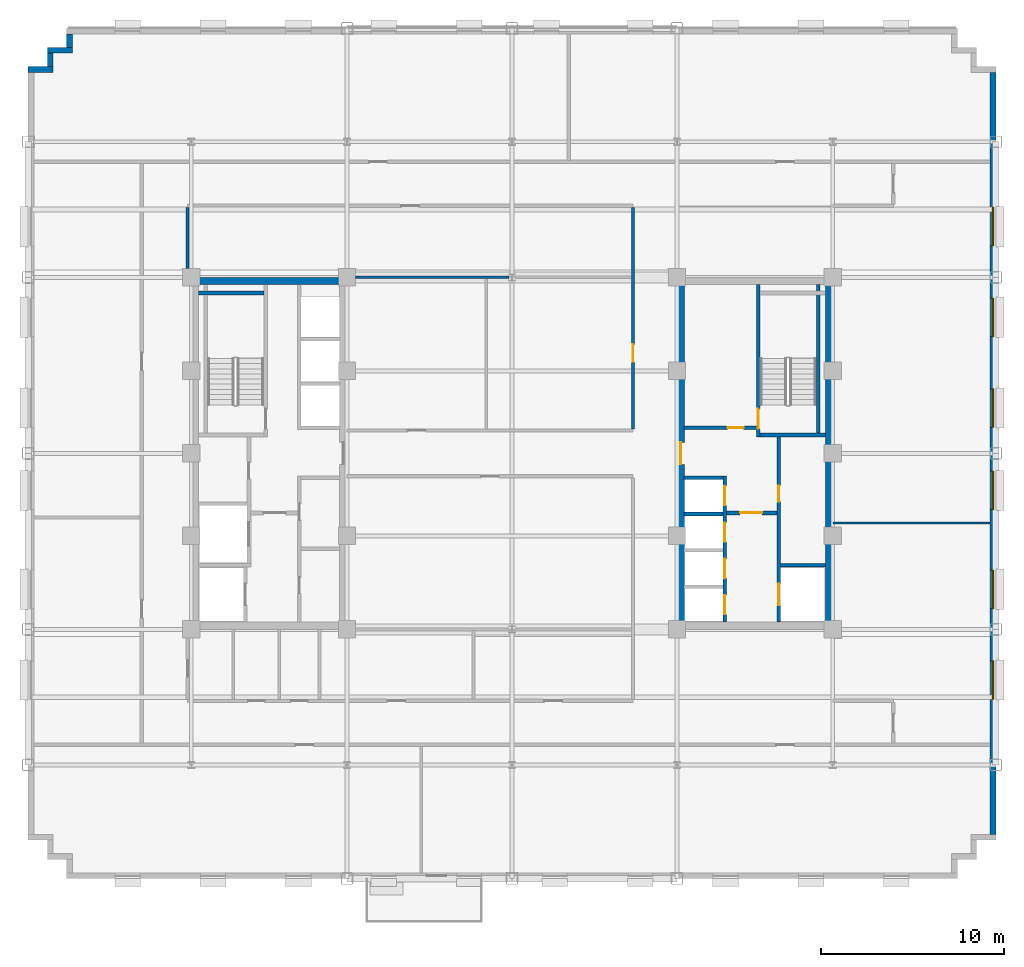
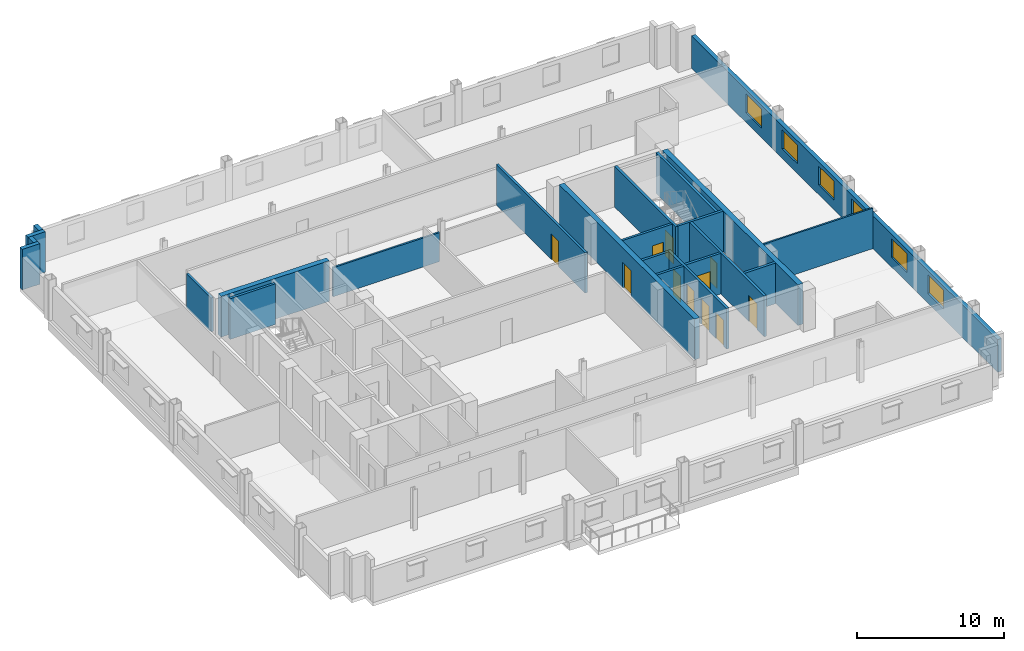
# One storey, part 8 of 14: 23 walls, 11 doors, 6 windows, 17 openings.
"""IFC4 building model written with IfcOpenShell, lengths in metres."""

from ifc_helpers import new_model, si_unit, direction, frame, frame_2d, origin, place, context, subcontext, project, spatial, rectangle, extrude, source, transform, mapped, material, layer, layer_set, type_object, type_shapes, element, fill, save


model = new_model("IFC4")

# Units and contexts
model_context = context("Model", 3, precision=1e-05, world=origin(), true_north=direction((0.0, 1.0)))
body_context = subcontext(model_context, "Body", "Model", "MODEL_VIEW")
ifc_project = project(units=[si_unit("LENGTHUNIT", "METRE"), si_unit("AREAUNIT", "SQUARE_METRE"), si_unit("VOLUMEUNIT", "CUBIC_METRE"), si_unit("PLANEANGLEUNIT", "RADIAN"), si_unit("MASSUNIT", "GRAM", prefix="KILO")], contexts=[model_context])

# Site, building, storey
site_placement = place(None, origin())
site = spatial("IfcSite", under=ifc_project, at=site_placement, CompositionType="ELEMENT")
building_placement = place(site_placement, origin())
building = spatial("IfcBuilding", under=site, at=building_placement, Name="Nuvemarco Arch Tower", CompositionType="ELEMENT")
storey_placement = place(building_placement, frame((0.0, 0.0, 127.5)))
storey = spatial("IfcBuildingStorey", under=building, at=storey_placement, Name="L33", CompositionType="ELEMENT", Elevation=127.5)

# Wall, openings, windows
ifc_material_1 = material(Name="Precast concrete C45/55", Category="concrete")
ifc_layer_1 = layer(ifc_material_1, 0.320068359375, Name="EW-MID-320")
ifc_layer_set_1 = layer_set([ifc_layer_1], Name="Precast concrete C45/55")
wall_type_1 = type_object("IfcWallType", Name="EW-MID-320", PredefinedType="STANDARD", material=ifc_layer_set_1)
wall_1_placement = place(storey_placement, frame((26.239990234375, -20.783935546875, 0.0), z_axis=(0.0, 0.0, 1.0), x_axis=(0.0, 1.0, 0.0)))
wall_1 = element("IfcWall", 1, at=wall_1_placement, inside=storey, type_object=wall_type_1, Name="L33 exterior precast facade wall 6", PredefinedType="STANDARD", context=body_context, shape_type="SweptSolid", body=[
    extrude(rectangle(XDim=41.56787109375, YDim=0.320068359375, at=frame_2d((20.783935546875, 0.0))), origin(), (0.0, 0.0, 1.0), 2.705078125),
])
opening_1_placement = place(wall_1_placement, frame((7.368896484375, 0.0, 0.800048828125)))
opening_1 = element("IfcOpeningElement", 2, at=opening_1_placement, cuts=wall_1, Name="Opening WN-5", PredefinedType="OPENING", context=body_context, shape_type="SweptSolid", body=[
    extrude(rectangle(XDim=2.10009765625, YDim=1.56005859375, at=frame_2d((1.050048828125, 0.780029296875))), frame((0.0, 0.169921875, 0.0), z_axis=(0.0, -1.0, 0.0), x_axis=(1.0, 0.0, 0.0)), (0.0, 0.0, 1.0), 0.340087890625),
])
opening_2_placement = place(wall_1_placement, frame((12.31494140625, 0.0, 0.800048828125)))
opening_2 = element("IfcOpeningElement", 3, at=opening_2_placement, cuts=wall_1, Name="Opening WN-5", PredefinedType="OPENING", context=body_context, shape_type="SweptSolid", body=[
    extrude(rectangle(XDim=2.10009765625, YDim=1.56005859375, at=frame_2d((1.050048828125, 0.780029296875))), frame((0.0, 0.169921875, 0.0), z_axis=(0.0, -1.0, 0.0), x_axis=(1.0, 0.0, 0.0)), (0.0, 0.0, 1.0), 0.340087890625),
])
opening_3_placement = place(wall_1_placement, frame((17.7109375, 0.0, 0.800048828125)))
opening_3 = element("IfcOpeningElement", 4, at=opening_3_placement, cuts=wall_1, Name="Opening WN-5", PredefinedType="OPENING", context=body_context, shape_type="SweptSolid", body=[
    extrude(rectangle(XDim=2.10009765625, YDim=1.56005859375, at=frame_2d((1.050048828125, 0.780029296875))), frame((0.0, 0.169921875, 0.0), z_axis=(0.0, -1.0, 0.0), x_axis=(1.0, 0.0, 0.0)), (0.0, 0.0, 1.0), 0.340087890625),
])
opening_4_placement = place(wall_1_placement, frame((22.20703125, 0.0, 0.800048828125)))
opening_4 = element("IfcOpeningElement", 5, at=opening_4_placement, cuts=wall_1, Name="Opening WN-5", PredefinedType="OPENING", context=body_context, shape_type="SweptSolid", body=[
    extrude(rectangle(XDim=2.10009765625, YDim=1.56005859375, at=frame_2d((1.050048828125, 0.780029296875))), frame((0.0, 0.169921875, 0.0), z_axis=(0.0, -1.0, 0.0), x_axis=(1.0, 0.0, 0.0)), (0.0, 0.0, 1.0), 0.340087890625),
])
opening_5_placement = place(wall_1_placement, frame((27.153076171875, 0.0, 0.800048828125)))
opening_5 = element("IfcOpeningElement", 6, at=opening_5_placement, cuts=wall_1, Name="Opening WN-5", PredefinedType="OPENING", context=body_context, shape_type="SweptSolid", body=[
    extrude(rectangle(XDim=2.10009765625, YDim=1.56005859375, at=frame_2d((1.050048828125, 0.780029296875))), frame((0.0, 0.169921875, 0.0), z_axis=(0.0, -1.0, 0.0), x_axis=(1.0, 0.0, 0.0)), (0.0, 0.0, 1.0), 0.340087890625),
])
opening_6_placement = place(wall_1_placement, frame((32.09912109375, 0.0, 0.800048828125)))
opening_6 = element("IfcOpeningElement", 7, at=opening_6_placement, cuts=wall_1, Name="Opening WN-5", PredefinedType="OPENING", context=body_context, shape_type="SweptSolid", body=[
    extrude(rectangle(XDim=2.10009765625, YDim=1.56005859375, at=frame_2d((1.050048828125, 0.780029296875))), frame((0.0, 0.169921875, 0.0), z_axis=(0.0, -1.0, 0.0), x_axis=(1.0, 0.0, 0.0)), (0.0, 0.0, 1.0), 0.340087890625),
])
ifc_material_2 = material(Name="Insulated solar-control glass", Category="glass")
window_type = type_object("IfcWindowType", Name="WN-MID-2100x1560", PartitioningType="DOUBLE_PANEL_VERTICAL", PredefinedType="WINDOW", material=ifc_material_2)
shared_shape_1 = source(origin(), body_context, "Body", "SweptSolid", [
    extrude(rectangle(XDim=2.10009765625, YDim=1.56005859375, at=frame_2d((1.050048828125, 0.780029296875))), frame((0.0, 0.030029296875, 0.0), z_axis=(0.0, -1.0, 0.0), x_axis=(1.0, 0.0, 0.0)), (0.0, 0.0, 1.0), 0.06005859375),
])
type_shapes(window_type, [shared_shape_1])
window_1_placement = place(opening_1_placement, origin())
window_1 = element("IfcWindow", 8, at=window_1_placement, inside=storey, type_object=window_type, Name="L33 punched facade window 2", OverallHeight=1.56005859375, OverallWidth=2.10009765625, PartitioningType="SINGLE_PANEL", PredefinedType="WINDOW", context=body_context, shape_type="MappedRepresentation", body=[
    mapped(shared_shape_1, transform((0.0, 0.0, 0.0), scale=1.0)),
])
fill(opening_1, window_1)
window_2_placement = place(opening_2_placement, origin())
window_2 = element("IfcWindow", 9, at=window_2_placement, inside=storey, type_object=window_type, Name="L33 punched facade window 3", OverallHeight=1.56005859375, OverallWidth=2.10009765625, PartitioningType="SINGLE_PANEL", PredefinedType="WINDOW", context=body_context, shape_type="MappedRepresentation", body=[
    mapped(shared_shape_1, transform((0.0, 0.0, 0.0), scale=1.0)),
])
fill(opening_2, window_2)
window_3_placement = place(opening_3_placement, origin())
window_3 = element("IfcWindow", 10, at=window_3_placement, inside=storey, type_object=window_type, Name="L33 punched facade window 4", OverallHeight=1.56005859375, OverallWidth=2.10009765625, PartitioningType="SINGLE_PANEL", PredefinedType="WINDOW", context=body_context, shape_type="MappedRepresentation", body=[
    mapped(shared_shape_1, transform((0.0, 0.0, 0.0), scale=1.0)),
])
fill(opening_3, window_3)
window_4_placement = place(opening_4_placement, origin())
window_4 = element("IfcWindow", 11, at=window_4_placement, inside=storey, type_object=window_type, Name="L33 punched facade window 5", OverallHeight=1.56005859375, OverallWidth=2.10009765625, PartitioningType="SINGLE_PANEL", PredefinedType="WINDOW", context=body_context, shape_type="MappedRepresentation", body=[
    mapped(shared_shape_1, transform((0.0, 0.0, 0.0), scale=1.0)),
])
fill(opening_4, window_4)
window_5_placement = place(opening_5_placement, origin())
window_5 = element("IfcWindow", 12, at=window_5_placement, inside=storey, type_object=window_type, Name="L33 punched facade window 6", OverallHeight=1.56005859375, OverallWidth=2.10009765625, PartitioningType="SINGLE_PANEL", PredefinedType="WINDOW", context=body_context, shape_type="MappedRepresentation", body=[
    mapped(shared_shape_1, transform((0.0, 0.0, 0.0), scale=1.0)),
])
fill(opening_5, window_5)
window_6_placement = place(opening_6_placement, origin())
window_6 = element("IfcWindow", 13, at=window_6_placement, inside=storey, type_object=window_type, Name="L33 punched facade window 7", OverallHeight=1.56005859375, OverallWidth=2.10009765625, PartitioningType="SINGLE_PANEL", PredefinedType="WINDOW", context=body_context, shape_type="MappedRepresentation", body=[
    mapped(shared_shape_1, transform((0.0, 0.0, 0.0), scale=1.0)),
])
fill(opening_6, window_6)

# Walls
wall_2_placement = place(storey_placement, frame((-24.139892578125, 22.14599609375, 0.0), z_axis=(0.0, 0.0, 1.0), x_axis=(0.0, 1.0, 0.0)))
element("IfcWall", 14, at=wall_2_placement, inside=storey, type_object=wall_type_1, Name="L33 exterior precast facade wall 12", PredefinedType="STANDARD", context=body_context, shape_type="SweptSolid", body=[
    extrude(rectangle(XDim=0.738037109375, YDim=0.320068359375, at=frame_2d((0.369140625, 0.0))), origin(), (0.0, 0.0, 1.0), 3.360107421875),
])
wall_3_placement = place(storey_placement, frame((-25.35009765625, 21.989990234375, 0.0), z_axis=(0.0, 0.0, 1.0), x_axis=(1.0, 0.0, 0.0)))
element("IfcWall", 15, at=wall_3_placement, inside=storey, type_object=wall_type_1, Name="L33 exterior precast facade wall 13", PredefinedType="STANDARD", context=body_context, shape_type="SweptSolid", body=[
    extrude(rectangle(XDim=1.3701171875, YDim=0.320068359375, at=frame_2d((0.68505859375, 0.0))), origin(), (0.0, 0.0, 1.0), 3.360107421875),
])
wall_4_placement = place(storey_placement, frame((-25.18994140625, 21.095947265625, 0.0), z_axis=(0.0, 0.0, 1.0), x_axis=(0.0, 1.0, 0.0)))
element("IfcWall", 16, at=wall_4_placement, inside=storey, type_object=wall_type_1, Name="L33 exterior precast facade wall 14", PredefinedType="STANDARD", context=body_context, shape_type="SweptSolid", body=[
    extrude(rectangle(XDim=0.738037109375, YDim=0.320068359375, at=frame_2d((0.369140625, 0.0))), origin(), (0.0, 0.0, 1.0), 3.360107421875),
])
wall_5_placement = place(storey_placement, frame((-26.39990234375, 20.93994140625, 0.0), z_axis=(0.0, 0.0, 1.0), x_axis=(1.0, 0.0, 0.0)))
element("IfcWall", 17, at=wall_5_placement, inside=storey, type_object=wall_type_1, Name="L33 exterior precast facade wall 15", PredefinedType="STANDARD", context=body_context, shape_type="SweptSolid", body=[
    extrude(rectangle(XDim=1.369873046875, YDim=0.320068359375, at=frame_2d((0.68505859375, 0.0))), origin(), (0.0, 0.0, 1.0), 3.360107421875),
])
ifc_material_3 = material(Name="Concrete C60/75", Category="concrete")
ifc_layer_2 = layer(ifc_material_3, 0.39990234375, Name="WL-CORE-400")
ifc_layer_set_2 = layer_set([ifc_layer_2], Name="Concrete C60/75")
wall_type_2 = type_object("IfcWallType", Name="WL-CORE-400", PredefinedType="SHEAR", material=ifc_layer_set_2)
wall_6_placement = place(storey_placement, frame((-17.5, 9.39990234375, 0.0), z_axis=(0.0, 0.0, 1.0), x_axis=(1.0, 0.0, 0.0)))
element("IfcWall", 18, at=wall_6_placement, inside=storey, type_object=wall_type_2, Name="L33 W-core shear wall N", PredefinedType="SHEAR", context=body_context, shape_type="SweptSolid", body=[
    extrude(rectangle(XDim=8.5, YDim=0.39990234375, at=frame_2d((4.25, 0.0))), origin(), (0.0, 0.0, 1.0), 3.3701171875),
])

# Wall, opening, door
wall_7_placement = place(storey_placement, frame((9.199951171875, -9.205078125, 0.0), z_axis=(0.0, 0.0, 1.0), x_axis=(0.0, 1.0, 0.0)))
wall_7 = element("IfcWall", 19, at=wall_7_placement, inside=storey, type_object=wall_type_2, Name="L33 E-core shear wall W", PredefinedType="SHEAR", context=body_context, shape_type="SweptSolid", body=[
    extrude(rectangle(XDim=18.41015625, YDim=0.39990234375, at=frame_2d((9.205078125, 0.0))), origin(), (0.0, 0.0, 1.0), 3.3701171875),
])
opening_7_placement = place(wall_7_placement, frame((8.60498046875, 0.0, 0.0)))
opening_7 = element("IfcOpeningElement", 20, at=opening_7_placement, cuts=wall_7, Name="Opening FD-2", PredefinedType="OPENING", context=body_context, shape_type="SweptSolid", body=[
    extrude(rectangle(XDim=1.199951171875, YDim=2.14990234375, at=frame_2d((0.60009765625, 1.074951171875))), frame((0.0, 0.2099609375, 0.0), z_axis=(0.0, -1.0, 0.0), x_axis=(1.0, 0.0, 0.0)), (0.0, 0.0, 1.0), 0.419921875),
])
ifc_material_4 = material(Name="Anodised steel fire door", Category="steel")
door_type_1 = type_object("IfcDoorType", Name="DR-FFLOB-FD", OperationType="NOTDEFINED", PredefinedType="DOOR", material=ifc_material_4)
shared_shape_2 = source(origin(), body_context, "Body", "SweptSolid", [
    extrude(rectangle(XDim=1.199951171875, YDim=2.14990234375, at=frame_2d((0.60009765625, 1.074951171875))), frame((0.0, 0.02490234375, 0.0), z_axis=(0.0, -1.0, 0.0), x_axis=(1.0, 0.0, 0.0)), (0.0, 0.0, 1.0), 0.050048828125),
])
type_shapes(door_type_1, [shared_shape_2])
door_1_placement = place(opening_7_placement, origin())
door_1 = element("IfcDoor", 21, at=door_1_placement, inside=storey, type_object=door_type_1, Name="L33 door FD-L33-ECORE-W", OperationType="SINGLE_SWING_RIGHT", OverallHeight=2.14990234375, OverallWidth=1.199951171875, PredefinedType="DOOR", context=body_context, shape_type="MappedRepresentation", body=[
    mapped(shared_shape_2, transform((0.0, 0.0, 0.0), scale=1.0)),
])
fill(opening_7, door_1)

# Wall
wall_8_placement = place(storey_placement, frame((17.300048828125, -9.205078125, 0.0), z_axis=(0.0, 0.0, 1.0), x_axis=(0.0, 1.0, 0.0)))
element("IfcWall", 22, at=wall_8_placement, inside=storey, type_object=wall_type_2, Name="L33 E-core shear wall E", PredefinedType="SHEAR", context=body_context, shape_type="SweptSolid", body=[
    extrude(rectangle(XDim=18.41015625, YDim=0.39990234375, at=frame_2d((9.205078125, 0.0))), origin(), (0.0, 0.0, 1.0), 3.3701171875),
])

# Wall, opening, door
ifc_material_5 = material(Name="Fire-rated gypsum drywall partition")
ifc_layer_3 = layer(ifc_material_5, 0.179931640625, Name="WL-CORR-180")
ifc_layer_set_3 = layer_set([ifc_layer_3], Name="Fire-rated gypsum drywall partition")
wall_type_3 = type_object("IfcWallType", Name="WL-CORR-180", PredefinedType="PARTITIONING", material=ifc_layer_set_3)
wall_9_placement = place(storey_placement, frame((9.39501953125, 1.39990234375, 0.0), z_axis=(0.0, 0.0, 1.0), x_axis=(1.0, 0.0, 0.0)))
wall_9 = element("IfcWall", 23, at=wall_9_placement, inside=storey, type_object=wall_type_3, Name="L33 interior wall IW-L33-EK-S", PredefinedType="PARTITIONING", context=body_context, shape_type="SweptSolid", body=[
    extrude(rectangle(XDim=3.949951171875, YDim=0.179931640625, at=frame_2d((1.97509765625, 0.0))), origin(), (0.0, 0.0, 1.0), 3.360107421875),
])
opening_8_placement = place(wall_9_placement, frame((2.364990234375, 0.0, 0.0)))
opening_8 = element("IfcOpeningElement", 24, at=opening_8_placement, cuts=wall_9, Name="Opening FD-4", PredefinedType="OPENING", context=body_context, shape_type="SweptSolid", body=[
    extrude(rectangle(XDim=0.8798828125, YDim=2.10009765625, at=frame_2d((0.43994140625, 1.050048828125))), frame((0.0, 0.099853515625, 0.0), z_axis=(0.0, -1.0, 0.0), x_axis=(1.0, 0.0, 0.0)), (0.0, 0.0, 1.0), 0.199951171875),
])
door_type_2 = type_object("IfcDoorType", Name="DR-RISER-FD", OperationType="NOTDEFINED", PredefinedType="DOOR", material=ifc_material_4)
shared_shape_3 = source(origin(), body_context, "Body", "SweptSolid", [
    extrude(rectangle(XDim=0.8798828125, YDim=2.10009765625, at=frame_2d((0.43994140625, 1.050048828125))), frame((0.0, 0.02490234375, 0.0), z_axis=(0.0, -1.0, 0.0), x_axis=(1.0, 0.0, 0.0)), (0.0, 0.0, 1.0), 0.050048828125),
])
type_shapes(door_type_2, [shared_shape_3])
door_2_placement = place(opening_8_placement, origin())
door_2 = element("IfcDoor", 25, at=door_2_placement, inside=storey, type_object=door_type_2, Name="L33 door FD-L33-EK1A", OperationType="SINGLE_SWING_LEFT", OverallHeight=2.10009765625, OverallWidth=0.8798828125, PredefinedType="DOOR", context=body_context, shape_type="MappedRepresentation", body=[
    mapped(shared_shape_3, transform((0.0, 0.0, 0.0), scale=1.0)),
])
fill(opening_8, door_2)

# Wall
wall_10_placement = place(storey_placement, frame((-17.699951171875, 10.071044921875, 0.0), z_axis=(0.0, 0.0, 1.0), x_axis=(0.0, 1.0, 0.0)))
element("IfcWall", 26, at=wall_10_placement, inside=storey, type_object=wall_type_3, Name="L33 interior wall IW-L33-017", PredefinedType="PARTITIONING", context=body_context, shape_type="SweptSolid", body=[
    extrude(rectangle(XDim=3.343017578125, YDim=0.179931640625, at=frame_2d((1.67138671875, 0.0))), origin(), (0.0, 0.0, 1.0), 2.81591796875),
])

# Wall, opening, door
wall_11_placement = place(storey_placement, frame((6.60009765625, 1.3359375, 0.0), z_axis=(0.0, 0.0, 1.0), x_axis=(0.0, 1.0, 0.0)))
wall_11 = element("IfcWall", 27, at=wall_11_placement, inside=storey, type_object=wall_type_3, Name="L33 interior wall IW-L33-026", PredefinedType="PARTITIONING", context=body_context, shape_type="SweptSolid", body=[
    extrude(rectangle(XDim=12.078125, YDim=0.179931640625, at=frame_2d((6.0390625, 0.0))), origin(), (0.0, 0.0, 1.0), 3.360107421875),
])
opening_9_placement = place(wall_11_placement, frame((3.652099609375, 0.0, 0.0)))
opening_9 = element("IfcOpeningElement", 28, at=opening_9_placement, cuts=wall_11, Name="Opening FD-5", PredefinedType="OPENING", context=body_context, shape_type="SweptSolid", body=[
    extrude(rectangle(XDim=0.9599609375, YDim=2.10009765625, at=frame_2d((0.47998046875, 1.050048828125))), frame((0.0, 0.099853515625, 0.0), z_axis=(0.0, -1.0, 0.0), x_axis=(1.0, 0.0, 0.0)), (0.0, 0.0, 1.0), 0.199951171875),
])
ifc_material_6 = material(Name="Timber fire door", Category="wood")
door_type_3 = type_object("IfcDoorType", Name="DR-CORR-FD", OperationType="NOTDEFINED", PredefinedType="DOOR", material=ifc_material_6)
shared_shape_4 = source(origin(), body_context, "Body", "SweptSolid", [
    extrude(rectangle(XDim=0.9599609375, YDim=2.10009765625, at=frame_2d((0.47998046875, 1.050048828125))), frame((0.0, 0.02490234375, 0.0), z_axis=(0.0, -1.0, 0.0), x_axis=(1.0, 0.0, 0.0)), (0.0, 0.0, 1.0), 0.050048828125),
])
type_shapes(door_type_3, [shared_shape_4])
door_3_placement = place(opening_9_placement, origin())
door_3 = element("IfcDoor", 29, at=door_3_placement, inside=storey, type_object=door_type_3, Name="L33 door DR-L33-C_N2", OperationType="SINGLE_SWING_RIGHT", OverallHeight=2.10009765625, OverallWidth=0.9599609375, PredefinedType="DOOR", context=body_context, shape_type="MappedRepresentation", body=[
    mapped(shared_shape_4, transform((0.0, 0.0, 0.0), scale=1.0)),
])
fill(opening_9, door_3)

# Walls
ifc_material_7 = material(Name="Glazed acoustic office partition")
ifc_layer_4 = layer(ifc_material_7, 0.1298828125, Name="WL-EXEC-130")
ifc_layer_set_4 = layer_set([ifc_layer_4], Name="Glazed acoustic office partition")
wall_type_4 = type_object("IfcWallType", Name="WL-EXEC-130", PredefinedType="PARTITIONING", material=ifc_layer_set_4)
wall_12_placement = place(storey_placement, frame((17.5, -3.800048828125, 0.0), z_axis=(0.0, 0.0, 1.0), x_axis=(1.0, 0.0, 0.0)))
element("IfcWall", 30, at=wall_12_placement, inside=storey, type_object=wall_type_4, Name="L33 interior wall IW-L33-006", PredefinedType="PARTITIONING", context=body_context, shape_type="SweptSolid", body=[
    extrude(rectangle(XDim=8.580078125, YDim=0.1298828125, at=frame_2d((4.2900390625, 0.0))), origin(), (0.0, 0.0, 1.0), 3.360107421875),
])
ifc_material_8 = material(Name="Gypsum plasterboard partition")
ifc_layer_5 = layer(ifc_material_8, 0.139892578125, Name="WL-ROOM-140")
ifc_layer_set_5 = layer_set([ifc_layer_5], Name="Gypsum plasterboard partition")
wall_type_5 = type_object("IfcWallType", Name="WL-ROOM-140", PredefinedType="PARTITIONING", material=ifc_layer_set_5)
wall_13_placement = place(storey_placement, frame((-8.529052734375, 9.60009765625, 0.0), z_axis=(0.0, 0.0, 1.0), x_axis=(1.0, 0.0, 0.0)))
element("IfcWall", 31, at=wall_13_placement, inside=storey, type_object=wall_type_5, Name="L33 interior wall IW-L33-010", PredefinedType="PARTITIONING", context=body_context, shape_type="SweptSolid", body=[
    extrude(rectangle(XDim=8.35302734375, YDim=0.139892578125, at=frame_2d((4.176513671875, 0.0))), origin(), (0.0, 0.0, 1.0), 2.405029296875),
])
ifc_material_9 = material(Name="Concrete C50/60", Category="concrete")
ifc_layer_6 = layer(ifc_material_9, 0.199951171875, Name="WL-SHAFT-220")
ifc_layer_set_6 = layer_set([ifc_layer_6], Name="Concrete C50/60")
wall_type_6 = type_object("IfcWallType", Name="WL-SHAFT-220", PredefinedType="SHEAR", material=ifc_layer_set_6)
wall_14_placement = place(storey_placement, frame((-17.10498046875, 8.75, 0.0), z_axis=(0.0, 0.0, 1.0), x_axis=(1.0, 0.0, 0.0)))
element("IfcWall", 32, at=wall_14_placement, inside=storey, type_object=wall_type_6, Name="L33 structural shaft wall SW-L33-W-ST1N", PredefinedType="SHEAR", context=body_context, shape_type="SweptSolid", body=[
    extrude(rectangle(XDim=3.570068359375, YDim=0.199951171875, at=frame_2d((1.78515625, 0.0))), origin(), (0.0, 0.0, 1.0), 3.3701171875),
])

# Wall, opening, door
wall_15_placement = place(storey_placement, frame((13.43994140625, 0.89990234375, 0.0), z_axis=(0.0, 0.0, 1.0), x_axis=(0.0, 1.0, 0.0)))
wall_15 = element("IfcWall", 33, at=wall_15_placement, inside=storey, type_object=wall_type_6, Name="L33 structural shaft wall SW-L33-E-ST2W", PredefinedType="SHEAR", context=body_context, shape_type="SweptSolid", body=[
    extrude(rectangle(XDim=8.30517578125, YDim=0.199951171875, at=frame_2d((4.152587890625, 0.0))), origin(), (0.0, 0.0, 1.0), 3.3701171875),
])
opening_10_placement = place(wall_15_placement, frame((0.429931640625, 0.0, 0.0)))
opening_10 = element("IfcOpeningElement", 34, at=opening_10_placement, cuts=wall_15, Name="Opening FD-1", PredefinedType="OPENING", context=body_context, shape_type="SweptSolid", body=[
    extrude(rectangle(XDim=1.10009765625, YDim=2.14990234375, at=frame_2d((0.550048828125, 1.074951171875))), frame((0.0, 0.10986328125, 0.0), z_axis=(0.0, -1.0, 0.0), x_axis=(1.0, 0.0, 0.0)), (0.0, 0.0, 1.0), 0.219970703125),
])
door_type_4 = type_object("IfcDoorType", Name="DR-STAIR-FD", OperationType="NOTDEFINED", PredefinedType="DOOR", material=ifc_material_4)
shared_shape_5 = source(origin(), body_context, "Body", "SweptSolid", [
    extrude(rectangle(XDim=1.10009765625, YDim=2.14990234375, at=frame_2d((0.550048828125, 1.074951171875))), frame((0.0, 0.02490234375, 0.0), z_axis=(0.0, -1.0, 0.0), x_axis=(1.0, 0.0, 0.0)), (0.0, 0.0, 1.0), 0.050048828125),
])
type_shapes(door_type_4, [shared_shape_5])
door_4_placement = place(opening_10_placement, origin())
door_4 = element("IfcDoor", 35, at=door_4_placement, inside=storey, type_object=door_type_4, Name="L33 door FD-L33-ST2", OperationType="SINGLE_SWING_RIGHT", OverallHeight=2.14990234375, OverallWidth=1.10009765625, PredefinedType="DOOR", context=body_context, shape_type="MappedRepresentation", body=[
    mapped(shared_shape_5, transform((0.0, 0.0, 0.0), scale=1.0)),
])
fill(opening_10, door_4)

# Walls
wall_16_placement = place(storey_placement, frame((13.534912109375, 1.0, 0.0), z_axis=(0.0, 0.0, 1.0), x_axis=(1.0, 0.0, 0.0)))
element("IfcWall", 36, at=wall_16_placement, inside=storey, type_object=wall_type_6, Name="L33 structural shaft wall SW-L33-E-ST2S", PredefinedType="SHEAR", context=body_context, shape_type="SweptSolid", body=[
    extrude(rectangle(XDim=3.570068359375, YDim=0.199951171875, at=frame_2d((1.78515625, 0.0))), origin(), (0.0, 0.0, 1.0), 3.3701171875),
])
wall_17_placement = place(storey_placement, frame((16.699951171875, 1.094970703125, 0.0), z_axis=(0.0, 0.0, 1.0), x_axis=(0.0, 1.0, 0.0)))
element("IfcWall", 37, at=wall_17_placement, inside=storey, type_object=wall_type_6, Name="L33 structural shaft wall SW-L33-E-ST2E", PredefinedType="SHEAR", context=body_context, shape_type="SweptSolid", body=[
    extrude(rectangle(XDim=8.110107421875, YDim=0.199951171875, at=frame_2d((4.05517578125, 0.0))), origin(), (0.0, 0.0, 1.0), 3.3701171875),
])

# Wall, openings, doors
wall_18_placement = place(storey_placement, frame((14.550048828125, -9.205078125, 0.0), z_axis=(0.0, 0.0, 1.0), x_axis=(0.0, 1.0, 0.0)))
wall_18 = element("IfcWall", 38, at=wall_18_placement, inside=storey, type_object=wall_type_6, Name="L33 structural shaft wall SW-L33-E-SHW", PredefinedType="SHEAR", context=body_context, shape_type="SweptSolid", body=[
    extrude(rectangle(XDim=10.110107421875, YDim=0.199951171875, at=frame_2d((5.05517578125, 0.0))), origin(), (0.0, 0.0, 1.0), 3.3701171875),
])
opening_11_placement = place(wall_18_placement, frame((6.56494140625, 0.0, 0.0)))
opening_11 = element("IfcOpeningElement", 39, at=opening_11_placement, cuts=wall_18, Name="Opening FD-4", PredefinedType="OPENING", context=body_context, shape_type="SweptSolid", body=[
    extrude(rectangle(XDim=0.8798828125, YDim=2.10009765625, at=frame_2d((0.43994140625, 1.050048828125))), frame((0.0, 0.10986328125, 0.0), z_axis=(0.0, -1.0, 0.0), x_axis=(1.0, 0.0, 0.0)), (0.0, 0.0, 1.0), 0.219970703125),
])
opening_12_placement = place(wall_18_placement, frame((0.929931640625, 0.0, 0.0)))
opening_12 = element("IfcOpeningElement", 40, at=opening_12_placement, cuts=wall_18, Name="Opening LD-2", PredefinedType="OPENING", context=body_context, shape_type="SweptSolid", body=[
    extrude(rectangle(XDim=1.14990234375, YDim=2.14990234375, at=frame_2d((0.574951171875, 1.074951171875))), frame((0.0, 0.10986328125, 0.0), z_axis=(0.0, -1.0, 0.0), x_axis=(1.0, 0.0, 0.0)), (0.0, 0.0, 1.0), 0.219970703125),
])
door_5_placement = place(opening_11_placement, origin())
door_5 = element("IfcDoor", 41, at=door_5_placement, inside=storey, type_object=door_type_2, Name="L33 door FD-L33-ERIS", OperationType="SINGLE_SWING_RIGHT", OverallHeight=2.10009765625, OverallWidth=0.8798828125, PredefinedType="DOOR", context=body_context, shape_type="MappedRepresentation", body=[
    mapped(shared_shape_3, transform((0.0, 0.0, 0.0), scale=1.0)),
])
fill(opening_11, door_5)
ifc_material_10 = material(Name="Stainless steel lift door", Category="steel")
door_type_5 = type_object("IfcDoorType", Name="DR-LIFT-FIRE", OperationType="DOUBLE_DOOR_SLIDING", PredefinedType="DOOR", material=ifc_material_10)
shared_shape_6 = source(origin(), body_context, "Body", "SweptSolid", [
    extrude(rectangle(XDim=1.14990234375, YDim=2.14990234375, at=frame_2d((0.574951171875, 1.074951171875))), frame((0.0, 0.02490234375, 0.0), z_axis=(0.0, -1.0, 0.0), x_axis=(1.0, 0.0, 0.0)), (0.0, 0.0, 1.0), 0.050048828125),
])
type_shapes(door_type_5, [shared_shape_6])
door_6_placement = place(opening_12_placement, origin())
door_6 = element("IfcDoor", 42, at=door_6_placement, inside=storey, type_object=door_type_5, Name="L33 Lift landing sliding door FFL-2", OperationType="DOUBLE_DOOR_SLIDING", OverallHeight=2.14990234375, OverallWidth=1.14990234375, PredefinedType="DOOR", context=body_context, shape_type="MappedRepresentation", body=[
    mapped(shared_shape_6, transform((0.0, 0.0, 0.0), scale=1.0)),
])
fill(opening_12, door_6)

# Wall
wall_19_placement = place(storey_placement, frame((14.64501953125, -6.10009765625, 0.0), z_axis=(0.0, 0.0, 1.0), x_axis=(1.0, 0.0, 0.0)))
element("IfcWall", 43, at=wall_19_placement, inside=storey, type_object=wall_type_6, Name="L33 structural shaft wall SW-L33-E-SH1", PredefinedType="SHEAR", context=body_context, shape_type="SweptSolid", body=[
    extrude(rectangle(XDim=2.4599609375, YDim=0.199951171875, at=frame_2d((1.22998046875, 0.0))), origin(), (0.0, 0.0, 1.0), 3.3701171875),
])

# Wall, openings, doors
wall_20_placement = place(storey_placement, frame((11.60009765625, -9.205078125, 0.0), z_axis=(0.0, 0.0, 1.0), x_axis=(0.0, 1.0, 0.0)))
wall_20 = element("IfcWall", 44, at=wall_20_placement, inside=storey, type_object=wall_type_6, Name="L33 structural shaft wall SW-L33-E-PME", PredefinedType="SHEAR", context=body_context, shape_type="SweptSolid", body=[
    extrude(rectangle(XDim=7.97509765625, YDim=0.199951171875, at=frame_2d((3.987548828125, 0.0))), origin(), (0.0, 0.0, 1.0), 3.3701171875),
])
opening_13_placement = place(wall_20_placement, frame((0.419921875, 0.0, 0.0)))
opening_13 = element("IfcOpeningElement", 45, at=opening_13_placement, cuts=wall_20, Name="Opening LD-1", PredefinedType="OPENING", context=body_context, shape_type="SweptSolid", body=[
    extrude(rectangle(XDim=1.050048828125, YDim=2.14990234375, at=frame_2d((0.52490234375, 1.074951171875))), frame((0.0, 0.10986328125, 0.0), z_axis=(0.0, -1.0, 0.0), x_axis=(1.0, 0.0, 0.0)), (0.0, 0.0, 1.0), 0.219970703125),
])
opening_14_placement = place(wall_20_placement, frame((2.39990234375, 0.0, 0.0)))
opening_14 = element("IfcOpeningElement", 46, at=opening_14_placement, cuts=wall_20, Name="Opening LD-1", PredefinedType="OPENING", context=body_context, shape_type="SweptSolid", body=[
    extrude(rectangle(XDim=1.050048828125, YDim=2.14990234375, at=frame_2d((0.52490234375, 1.074951171875))), frame((0.0, 0.10986328125, 0.0), z_axis=(0.0, -1.0, 0.0), x_axis=(1.0, 0.0, 0.0)), (0.0, 0.0, 1.0), 0.219970703125),
])
opening_15_placement = place(wall_20_placement, frame((4.3798828125, 0.0, 0.0)))
opening_15 = element("IfcOpeningElement", 47, at=opening_15_placement, cuts=wall_20, Name="Opening LD-1", PredefinedType="OPENING", context=body_context, shape_type="SweptSolid", body=[
    extrude(rectangle(XDim=1.050048828125, YDim=2.14990234375, at=frame_2d((0.52490234375, 1.074951171875))), frame((0.0, 0.10986328125, 0.0), z_axis=(0.0, -1.0, 0.0), x_axis=(1.0, 0.0, 0.0)), (0.0, 0.0, 1.0), 0.219970703125),
])
opening_16_placement = place(wall_20_placement, frame((6.360107421875, 0.0, 0.0)))
opening_16 = element("IfcOpeningElement", 48, at=opening_16_placement, cuts=wall_20, Name="Opening LD-1", PredefinedType="OPENING", context=body_context, shape_type="SweptSolid", body=[
    extrude(rectangle(XDim=1.050048828125, YDim=2.14990234375, at=frame_2d((0.52490234375, 1.074951171875))), frame((0.0, 0.10986328125, 0.0), z_axis=(0.0, -1.0, 0.0), x_axis=(1.0, 0.0, 0.0)), (0.0, 0.0, 1.0), 0.219970703125),
])
door_type_6 = type_object("IfcDoorType", Name="DR-LIFT-PASS", OperationType="DOUBLE_DOOR_SLIDING", PredefinedType="DOOR", material=ifc_material_10)
shared_shape_7 = source(origin(), body_context, "Body", "SweptSolid", [
    extrude(rectangle(XDim=1.050048828125, YDim=2.14990234375, at=frame_2d((0.52490234375, 1.074951171875))), frame((0.0, 0.02490234375, 0.0), z_axis=(0.0, -1.0, 0.0), x_axis=(1.0, 0.0, 0.0)), (0.0, 0.0, 1.0), 0.050048828125),
])
type_shapes(door_type_6, [shared_shape_7])
door_7_placement = place(opening_13_placement, origin())
door_7 = element("IfcDoor", 49, at=door_7_placement, inside=storey, type_object=door_type_6, Name="L33 Lift landing sliding door PM-1", OperationType="DOUBLE_DOOR_SLIDING", OverallHeight=2.14990234375, OverallWidth=1.050048828125, PredefinedType="DOOR", context=body_context, shape_type="MappedRepresentation", body=[
    mapped(shared_shape_7, transform((0.0, 0.0, 0.0), scale=1.0)),
])
fill(opening_13, door_7)
door_8_placement = place(opening_14_placement, origin())
door_8 = element("IfcDoor", 50, at=door_8_placement, inside=storey, type_object=door_type_6, Name="L33 Lift landing sliding door PM-2", OperationType="DOUBLE_DOOR_SLIDING", OverallHeight=2.14990234375, OverallWidth=1.050048828125, PredefinedType="DOOR", context=body_context, shape_type="MappedRepresentation", body=[
    mapped(shared_shape_7, transform((0.0, 0.0, 0.0), scale=1.0)),
])
fill(opening_14, door_8)
door_9_placement = place(opening_15_placement, origin())
door_9 = element("IfcDoor", 51, at=door_9_placement, inside=storey, type_object=door_type_6, Name="L33 Lift landing sliding door PM-3", OperationType="DOUBLE_DOOR_SLIDING", OverallHeight=2.14990234375, OverallWidth=1.050048828125, PredefinedType="DOOR", context=body_context, shape_type="MappedRepresentation", body=[
    mapped(shared_shape_7, transform((0.0, 0.0, 0.0), scale=1.0)),
])
fill(opening_15, door_9)
door_10_placement = place(opening_16_placement, origin())
door_10 = element("IfcDoor", 52, at=door_10_placement, inside=storey, type_object=door_type_6, Name="L33 Lift landing sliding door PM-4", OperationType="DOUBLE_DOOR_SLIDING", OverallHeight=2.14990234375, OverallWidth=1.050048828125, PredefinedType="DOOR", context=body_context, shape_type="MappedRepresentation", body=[
    mapped(shared_shape_7, transform((0.0, 0.0, 0.0), scale=1.0)),
])
fill(opening_16, door_10)

# Wall, opening, door
wall_21_placement = place(storey_placement, frame((11.695068359375, -3.25, 0.0), z_axis=(0.0, 0.0, 1.0), x_axis=(1.0, 0.0, 0.0)))
wall_21 = element("IfcWall", 53, at=wall_21_placement, inside=storey, type_object=wall_type_6, Name="L33 structural shaft wall SW-L33-E-FFN", PredefinedType="SHEAR", context=body_context, shape_type="SweptSolid", body=[
    extrude(rectangle(XDim=2.760009765625, YDim=0.199951171875, at=frame_2d((1.3798828125, 0.0))), origin(), (0.0, 0.0, 1.0), 3.3701171875),
])
opening_17_placement = place(wall_21_placement, frame((0.7548828125, 0.0, 0.0)))
opening_17 = element("IfcOpeningElement", 54, at=opening_17_placement, cuts=wall_21, Name="Opening FD-2", PredefinedType="OPENING", context=body_context, shape_type="SweptSolid", body=[
    extrude(rectangle(XDim=1.199951171875, YDim=2.14990234375, at=frame_2d((0.60009765625, 1.074951171875))), frame((0.0, 0.10986328125, 0.0), z_axis=(0.0, -1.0, 0.0), x_axis=(1.0, 0.0, 0.0)), (0.0, 0.0, 1.0), 0.219970703125),
])
door_11_placement = place(opening_17_placement, origin())
door_11 = element("IfcDoor", 55, at=door_11_placement, inside=storey, type_object=door_type_1, Name="L33 door FD-L33-EFF2", OperationType="SINGLE_SWING_RIGHT", OverallHeight=2.14990234375, OverallWidth=1.199951171875, PredefinedType="DOOR", context=body_context, shape_type="MappedRepresentation", body=[
    mapped(shared_shape_2, transform((0.0, 0.0, 0.0), scale=1.0)),
])
fill(opening_17, door_11)

# Walls
for number, where, z_axis, x_axis, name in (
    (56, (9.39501953125, -3.31005859375, 0.0), (0.0, 0.0, 1.0), (1.0, 0.0, 0.0), "L33 structural shaft wall SW-L33-E-PMD3"),
    (57, (9.39501953125, -1.330078125, 0.0), (0.0, 0.0, 1.0), (1.0, 0.0, 0.0), "L33 structural shaft wall SW-L33-E-PMD4"),
):
    element("IfcWall", number, at=place(storey_placement, frame(where, z_axis=z_axis, x_axis=x_axis)), inside=storey, type_object=wall_type_6, Name=name, PredefinedType="SHEAR", context=body_context, shape_type="SweptSolid", body=[
        extrude(rectangle(XDim=2.10986328125, YDim=0.199951171875, at=frame_2d((1.054931640625, 0.0))), origin(), (0.0, 0.0, 1.0), 3.3701171875),
    ])

save(model, "model.ifc")
